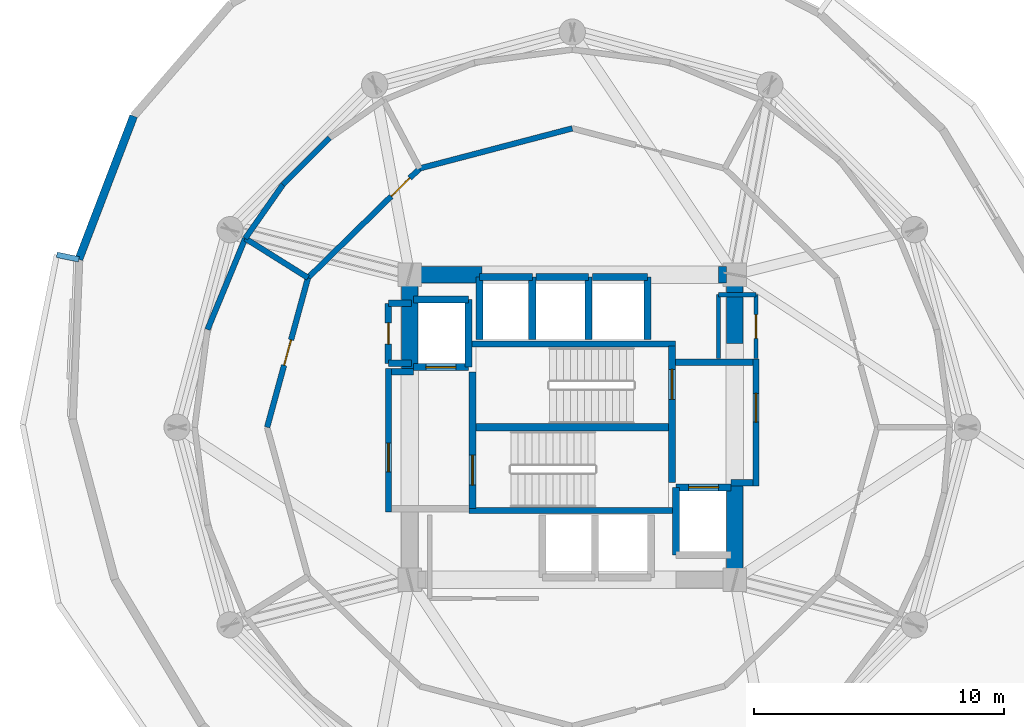
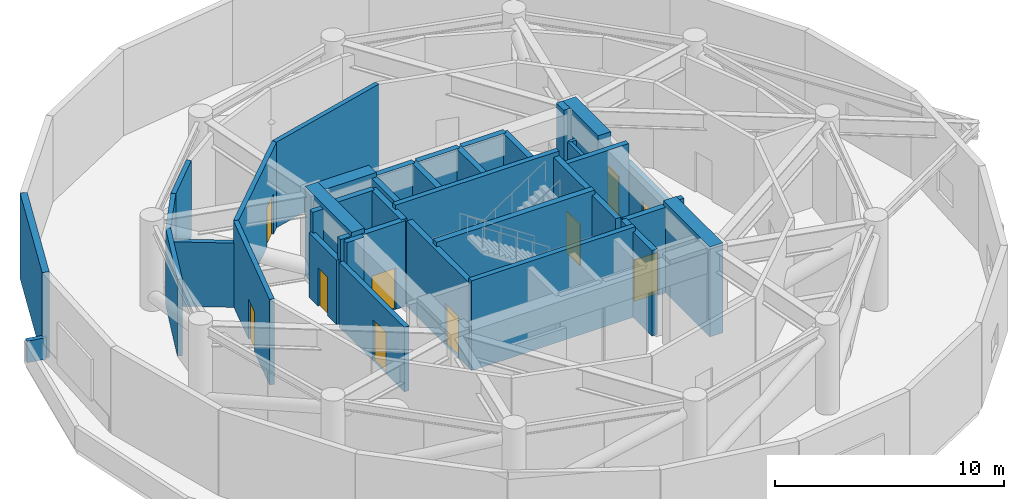
# One storey, part 3 of 7: 42 walls, 10 doors, 10 openings.
"""IFC4 building model written with IfcOpenShell, lengths in metres."""

from ifc_helpers import new_model, si_unit, direction, frame, frame_2d, origin, place, context, subcontext, project, spatial, rectangle, extrude, material, layer, layer_set, type_object, element, fill, save


model = new_model("IFC4")

# Units and contexts
model_context = context("Model", 3, precision=1e-05, world=origin(), true_north=direction((0.0, 1.0)))
body_context = subcontext(model_context, "Body", "Model", "MODEL_VIEW")
ifc_project = project(units=[si_unit("LENGTHUNIT", "METRE"), si_unit("AREAUNIT", "SQUARE_METRE"), si_unit("VOLUMEUNIT", "CUBIC_METRE"), si_unit("PLANEANGLEUNIT", "RADIAN"), si_unit("MASSUNIT", "GRAM", prefix="KILO")], contexts=[model_context])

# Site, building, storey
site_placement = place(None, origin())
site = spatial("IfcSite", under=ifc_project, at=site_placement, CompositionType="ELEMENT")
building_placement = place(site_placement, origin())
building = spatial("IfcBuilding", under=site, at=building_placement, Name="Solvirekh Grand Hotel", CompositionType="ELEMENT")
storey_placement = place(building_placement, frame((0.0, 0.0, 163.800048828125)))
storey = spatial("IfcBuildingStorey", under=building, at=storey_placement, Name="L42", CompositionType="ELEMENT", Elevation=163.800048828125)

# Walls
ifc_material_1 = material(Name="Concrete C50/60", Category="concrete")
ifc_layer_1 = layer(ifc_material_1, 0.35009765625)
ifc_layer_set_1 = layer_set([ifc_layer_1], Name="Concrete C50/60")
wall_type_1 = type_object("IfcWallType", Name="CoreDivWall_RC350", PredefinedType="SOLIDWALL", material=ifc_layer_set_1)
for number, where, z_axis, x_axis, name in (
    (1, (-4.1298828125, -3.324951171875, 0.0), (0.0, 0.0, 1.0), (1.0, 0.0, 0.0), "L42 core stair box wall ST-S"),
    (2, (-4.1298828125, 3.324951171875, 0.0), (0.0, 0.0, 1.0), (1.0, 0.0, 0.0), "L42 core stair box wall ST-N"),
):
    element("IfcWall", number, at=place(storey_placement, frame(where, z_axis=z_axis, x_axis=x_axis)), inside=storey, type_object=wall_type_1, Name=name, PredefinedType="SOLIDWALL", context=body_context, shape_type="SweptSolid", body=[
        extrude(rectangle(XDim=8.259765625, YDim=0.25, at=frame_2d((4.1298828125, 0.0))), origin(), (0.0, 0.0, 1.0), 4.800048828125),
    ])
ifc_material_2 = material(Name="Concrete C40/50", Category="concrete")
ifc_layer_2 = layer(ifc_material_2, 0.280029296875)
ifc_layer_set_2 = layer_set([ifc_layer_2], Name="Concrete C40/50")
wall_type_2 = type_object("IfcWallType", Name="CoreShaftWall_RC280", PredefinedType="SOLIDWALL", material=ifc_layer_set_2)
wall_1_placement = place(storey_placement, frame((-1.60009765625, 6.0, 0.0), z_axis=(0.0, 0.0, 1.0), x_axis=(-1.0, 0.0, 0.0)))
element("IfcWall", 3, at=wall_1_placement, inside=storey, type_object=wall_type_2, Name="L42 HP-1 hoistway N wall", PredefinedType="SOLIDWALL", context=body_context, shape_type="SweptSolid", body=[
    extrude(rectangle(XDim=2.099853515625, YDim=0.280029296875, at=frame_2d((1.0498046875, 0.0))), origin(), (0.0, 0.0, 1.0), 4.56005859375),
])
for number, where, z_axis, x_axis, name in (
    (4, (-3.699951171875, 6.0, 0.0), (0.0, 0.0, 1.0), (0.0, -1.0, 0.0), "L42 HP-1 hoistway W wall"),
    (5, (-1.60009765625, 3.5, 0.0), (0.0, 0.0, 1.0), (0.0, 1.0, 0.0), "L42 HP-1 hoistway E wall"),
):
    element("IfcWall", number, at=place(storey_placement, frame(where, z_axis=z_axis, x_axis=x_axis)), inside=storey, type_object=wall_type_2, Name=name, PredefinedType="SOLIDWALL", context=body_context, shape_type="SweptSolid", body=[
        extrude(rectangle(XDim=2.5, YDim=0.280029296875, at=frame_2d((1.25, 0.0))), origin(), (0.0, 0.0, 1.0), 4.56005859375),
    ])
wall_2_placement = place(storey_placement, frame((0.64990234375, 6.0, 0.0), z_axis=(0.0, 0.0, 1.0), x_axis=(-1.0, 0.0, 0.0)))
element("IfcWall", 6, at=wall_2_placement, inside=storey, type_object=wall_type_2, Name="L42 HP-2 hoistway N wall", PredefinedType="SOLIDWALL", context=body_context, shape_type="SweptSolid", body=[
    extrude(rectangle(XDim=2.099853515625, YDim=0.280029296875, at=frame_2d((1.0498046875, 0.0))), origin(), (0.0, 0.0, 1.0), 4.56005859375),
])
wall_3_placement = place(storey_placement, frame((0.64990234375, 3.5, 0.0), z_axis=(0.0, 0.0, 1.0), x_axis=(0.0, 1.0, 0.0)))
element("IfcWall", 7, at=wall_3_placement, inside=storey, type_object=wall_type_2, Name="L42 HP-2 hoistway E wall", PredefinedType="SOLIDWALL", context=body_context, shape_type="SweptSolid", body=[
    extrude(rectangle(XDim=2.5, YDim=0.280029296875, at=frame_2d((1.25, 0.0))), origin(), (0.0, 0.0, 1.0), 4.56005859375),
])
wall_4_placement = place(storey_placement, frame((3.0, 6.0, 0.0), z_axis=(0.0, 0.0, 1.0), x_axis=(-1.0, 0.0, 0.0)))
element("IfcWall", 8, at=wall_4_placement, inside=storey, type_object=wall_type_2, Name="L42 EX-1 hoistway N wall", PredefinedType="SOLIDWALL", context=body_context, shape_type="SweptSolid", body=[
    extrude(rectangle(XDim=2.199951171875, YDim=0.280029296875, at=frame_2d((1.10009765625, 0.0))), origin(), (0.0, 0.0, 1.0), 4.56005859375),
])
wall_5_placement = place(storey_placement, frame((3.0, 3.5, 0.0), z_axis=(0.0, 0.0, 1.0), x_axis=(0.0, 1.0, 0.0)))
element("IfcWall", 9, at=wall_5_placement, inside=storey, type_object=wall_type_2, Name="L42 EX-1 hoistway E wall", PredefinedType="SOLIDWALL", context=body_context, shape_type="SweptSolid", body=[
    extrude(rectangle(XDim=2.5, YDim=0.280029296875, at=frame_2d((1.25, 0.0))), origin(), (0.0, 0.0, 1.0), 4.56005859375),
])

# Wall, opening, door
wall_6_placement = place(storey_placement, frame((-6.35009765625, 2.39990234375, 0.0), z_axis=(0.0, 0.0, 1.0), x_axis=(1.0, 0.0, 0.0)))
wall_6 = element("IfcWall", 10, at=wall_6_placement, inside=storey, type_object=wall_type_2, Name="L42 FL-1 hoistway S wall", PredefinedType="SOLIDWALL", context=body_context, shape_type="SweptSolid", body=[
    extrude(rectangle(XDim=2.2001953125, YDim=0.280029296875, at=frame_2d((1.10009765625, 0.0))), origin(), (0.0, 0.0, 1.0), 4.56005859375),
])
opening_1_placement = place(wall_6_placement, frame((0.5, 0.0, 0.0)))
opening_1 = element("IfcOpeningElement", 11, at=opening_1_placement, cuts=wall_6, Name="Opening LD02", PredefinedType="OPENING", context=body_context, shape_type="SweptSolid", body=[
    extrude(rectangle(XDim=1.199951171875, YDim=2.199951171875, at=frame_2d((0.60009765625, 1.10009765625))), frame((0.0, 0.14990234375, 0.0), z_axis=(0.0, -1.0, 0.0), x_axis=(1.0, 0.0, 0.0)), (0.0, 0.0, 1.0), 0.300048828125),
])
ifc_material_3 = material(Name="Fire-Rated Steel Door Assembly", Category="steel")
door_type_1 = type_object("IfcDoorType", Name="Door_LiftFF_1200X2200", OperationType="SLIDING_TO_LEFT", PredefinedType="DOOR", material=ifc_material_3)
door_1_placement = place(opening_1_placement, origin())
door_1 = element("IfcDoor", 12, at=door_1_placement, inside=storey, type_object=door_type_1, Name="L42 FL-1 sliding lift landing door", OperationType="SLIDING_TO_LEFT", OverallHeight=2.199951171875, OverallWidth=1.199951171875, PredefinedType="DOOR", context=body_context, shape_type="SweptSolid", body=[
    extrude(rectangle(XDim=1.199951171875, YDim=2.199951171875, at=frame_2d((0.60009765625, 1.10009765625))), frame((0.0, 0.02490234375, 0.0), z_axis=(0.0, -1.0, 0.0), x_axis=(1.0, 0.0, 0.0)), (0.0, 0.0, 1.0), 0.050048828125),
])
fill(opening_1, door_1)

# Walls
wall_7_placement = place(storey_placement, frame((-4.14990234375, 5.10009765625, 0.0), z_axis=(0.0, 0.0, 1.0), x_axis=(-1.0, 0.0, 0.0)))
element("IfcWall", 13, at=wall_7_placement, inside=storey, type_object=wall_type_2, Name="L42 FL-1 hoistway N wall", PredefinedType="SOLIDWALL", context=body_context, shape_type="SweptSolid", body=[
    extrude(rectangle(XDim=2.2001953125, YDim=0.280029296875, at=frame_2d((1.10009765625, 0.0))), origin(), (0.0, 0.0, 1.0), 4.56005859375),
])
wall_8_placement = place(storey_placement, frame((-4.14990234375, 2.39990234375, 0.0), z_axis=(0.0, 0.0, 1.0), x_axis=(0.0, 1.0, 0.0)))
element("IfcWall", 14, at=wall_8_placement, inside=storey, type_object=wall_type_2, Name="L42 FL-1 hoistway E wall", PredefinedType="SOLIDWALL", context=body_context, shape_type="SweptSolid", body=[
    extrude(rectangle(XDim=2.7001953125, YDim=0.280029296875, at=frame_2d((1.35009765625, 0.0))), origin(), (0.0, 0.0, 1.0), 4.56005859375),
])

# Wall, opening, door
wall_9_placement = place(storey_placement, frame((6.35009765625, -2.39990234375, 0.0), z_axis=(0.0, 0.0, 1.0), x_axis=(-1.0, 0.0, 0.0)))
wall_9 = element("IfcWall", 15, at=wall_9_placement, inside=storey, type_object=wall_type_2, Name="L42 FL-2 hoistway N wall", PredefinedType="SOLIDWALL", context=body_context, shape_type="SweptSolid", body=[
    extrude(rectangle(XDim=2.2001953125, YDim=0.280029296875, at=frame_2d((1.10009765625, 0.0))), origin(), (0.0, 0.0, 1.0), 4.56005859375),
])
opening_2_placement = place(wall_9_placement, frame((0.5, 0.0, 0.0)))
opening_2 = element("IfcOpeningElement", 16, at=opening_2_placement, cuts=wall_9, Name="Opening LD02", PredefinedType="OPENING", context=body_context, shape_type="SweptSolid", body=[
    extrude(rectangle(XDim=1.199951171875, YDim=2.199951171875, at=frame_2d((0.60009765625, 1.10009765625))), frame((0.0, 0.14990234375, 0.0), z_axis=(0.0, -1.0, 0.0), x_axis=(1.0, 0.0, 0.0)), (0.0, 0.0, 1.0), 0.300048828125),
])
door_2_placement = place(opening_2_placement, origin())
door_2 = element("IfcDoor", 17, at=door_2_placement, inside=storey, type_object=door_type_1, Name="L42 FL-2 sliding lift landing door", OperationType="SLIDING_TO_LEFT", OverallHeight=2.199951171875, OverallWidth=1.199951171875, PredefinedType="DOOR", context=body_context, shape_type="SweptSolid", body=[
    extrude(rectangle(XDim=1.199951171875, YDim=2.199951171875, at=frame_2d((0.60009765625, 1.10009765625))), frame((0.0, 0.02490234375, 0.0), z_axis=(0.0, -1.0, 0.0), x_axis=(1.0, 0.0, 0.0)), (0.0, 0.0, 1.0), 0.050048828125),
])
fill(opening_2, door_2)

# Wall
wall_10_placement = place(storey_placement, frame((4.14990234375, -2.39990234375, 0.0), z_axis=(0.0, 0.0, 1.0), x_axis=(0.0, -1.0, 0.0)))
element("IfcWall", 18, at=wall_10_placement, inside=storey, type_object=wall_type_2, Name="L42 FL-2 hoistway W wall", PredefinedType="SOLIDWALL", context=body_context, shape_type="SweptSolid", body=[
    extrude(rectangle(XDim=2.7001953125, YDim=0.280029296875, at=frame_2d((1.35009765625, 0.0))), origin(), (0.0, 0.0, 1.0), 4.56005859375),
])

# Wall, opening, door
wall_11_placement = place(storey_placement, frame((-3.989990234375, -3.25, 0.0), z_axis=(0.0, 0.0, 1.0), x_axis=(0.0, 1.0, 0.0)))
wall_11 = element("IfcWall", 19, at=wall_11_placement, inside=storey, type_object=wall_type_2, Name="L42 west stair landing enclosure wall", PredefinedType="SOLIDWALL", context=body_context, shape_type="SweptSolid", body=[
    extrude(rectangle(XDim=5.4599609375, YDim=0.280029296875, at=frame_2d((2.72998046875, 0.0))), origin(), (0.0, 0.0, 1.0), 4.56005859375),
])
opening_3_placement = place(wall_11_placement, frame((0.93701171875, 0.0, 0.0)))
opening_3 = element("IfcOpeningElement", 20, at=opening_3_placement, cuts=wall_11, Name="Opening D05", PredefinedType="OPENING", context=body_context, shape_type="SweptSolid", body=[
    extrude(rectangle(XDim=1.199951171875, YDim=2.199951171875, at=frame_2d((0.60009765625, 1.10009765625))), frame((0.0, 0.14990234375, 0.0), z_axis=(0.0, -1.0, 0.0), x_axis=(1.0, 0.0, 0.0)), (0.0, 0.0, 1.0), 0.300048828125),
])
door_type_2 = type_object("IfcDoorType", Name="Door_StairCore_1200X2200", OperationType="NOTDEFINED", PredefinedType="DOOR", material=ifc_material_3)
door_3_placement = place(opening_3_placement, origin())
door_3 = element("IfcDoor", 21, at=door_3_placement, inside=storey, type_object=door_type_2, Name="L42 exit stair ST-1 fire door", OperationType="SINGLE_SWING_RIGHT", OverallHeight=2.199951171875, OverallWidth=1.199951171875, PredefinedType="DOOR", context=body_context, shape_type="SweptSolid", body=[
    extrude(rectangle(XDim=1.199951171875, YDim=2.199951171875, at=frame_2d((0.60009765625, 1.10009765625))), frame((0.0, 0.02490234375, 0.0), z_axis=(0.0, -1.0, 0.0), x_axis=(1.0, 0.0, 0.0)), (0.0, 0.0, 1.0), 0.050048828125),
])
fill(opening_3, door_3)

wall_12_placement = place(storey_placement, frame((3.989990234375, -2.2099609375, 0.0), z_axis=(0.0, 0.0, 1.0), x_axis=(0.0, 1.0, 0.0)))
wall_12 = element("IfcWall", 22, at=wall_12_placement, inside=storey, type_object=wall_type_2, Name="L42 east stair landing enclosure wall", PredefinedType="SOLIDWALL", context=body_context, shape_type="SweptSolid", body=[
    extrude(rectangle(XDim=5.4599609375, YDim=0.280029296875, at=frame_2d((2.72998046875, 0.0))), origin(), (0.0, 0.0, 1.0), 4.56005859375),
])
opening_4_placement = place(wall_12_placement, frame((3.322998046875, 0.0, 0.0)))
opening_4 = element("IfcOpeningElement", 23, at=opening_4_placement, cuts=wall_12, Name="Opening D05", PredefinedType="OPENING", context=body_context, shape_type="SweptSolid", body=[
    extrude(rectangle(XDim=1.199951171875, YDim=2.199951171875, at=frame_2d((0.60009765625, 1.10009765625))), frame((0.0, 0.14990234375, 0.0), z_axis=(0.0, -1.0, 0.0), x_axis=(1.0, 0.0, 0.0)), (0.0, 0.0, 1.0), 0.300048828125),
])
door_4_placement = place(opening_4_placement, origin())
door_4 = element("IfcDoor", 24, at=door_4_placement, inside=storey, type_object=door_type_2, Name="L42 exit stair ST-2 fire door", OperationType="SINGLE_SWING_LEFT", OverallHeight=2.199951171875, OverallWidth=1.199951171875, PredefinedType="DOOR", context=body_context, shape_type="SweptSolid", body=[
    extrude(rectangle(XDim=1.199951171875, YDim=2.199951171875, at=frame_2d((0.60009765625, 1.10009765625))), frame((0.0, 0.02490234375, 0.0), z_axis=(0.0, -1.0, 0.0), x_axis=(1.0, 0.0, 0.0)), (0.0, 0.0, 1.0), 0.050048828125),
])
fill(opening_4, door_4)

# Walls
ifc_layer_3 = layer(ifc_material_1, 0.64990234375)
ifc_layer_set_3 = layer_set([ifc_layer_3], Name="Concrete C50/60")
wall_type_3 = type_object("IfcWallType", Name="CoreWall_RC650", PredefinedType="SHEAR", material=ifc_layer_set_3)
wall_13_placement = place(storey_placement, frame((-3.989990234375, 0.0, 0.0), z_axis=(0.0, 0.0, 1.0), x_axis=(1.0, 0.0, 0.0)))
element("IfcWall", 25, at=wall_13_placement, inside=storey, type_object=wall_type_3, Name="L42 central stair-spine shear wall", PredefinedType="SHEAR", context=body_context, shape_type="SweptSolid", body=[
    extrude(rectangle(XDim=7.97998046875, YDim=0.300048828125, at=frame_2d((3.989990234375, 0.0))), origin(), (0.0, 0.0, 1.0), 4.800048828125),
])
wall_14_placement = place(storey_placement, frame((-6.175048828125, 6.10009765625, 0.0), z_axis=(0.0, 0.0, 1.0), x_axis=(1.0, 0.0, 0.0)))
element("IfcWall", 26, at=wall_14_placement, inside=storey, type_object=wall_type_3, Name="L42 core corner shear wall NW-N", PredefinedType="SHEAR", context=body_context, shape_type="SweptSolid", body=[
    extrude(rectangle(XDim=2.574951171875, YDim=0.64990234375, at=frame_2d((1.28759765625, 0.0))), origin(), (0.0, 0.0, 1.0), 4.800048828125),
])
wall_15_placement = place(storey_placement, frame((5.85009765625, 6.10009765625, 0.0), z_axis=(0.0, 0.0, 1.0), x_axis=(1.0, 0.0, 0.0)))
element("IfcWall", 27, at=wall_15_placement, inside=storey, type_object=wall_type_3, Name="L42 core corner shear wall NE-N", PredefinedType="SHEAR", context=body_context, shape_type="SweptSolid", body=[
    extrude(rectangle(XDim=0.324951171875, YDim=0.64990234375, at=frame_2d((0.16259765625, 0.0))), origin(), (0.0, 0.0, 1.0), 4.800048828125),
])
for number, where, z_axis, x_axis, name in (
    (28, (-6.5, 2.35009765625, 0.0), (0.0, 0.0, 1.0), (0.0, 1.0, 0.0), "L42 core corner shear wall WN-W"),
    (29, (6.5, -6.425048828125, 0.0), (0.0, 0.0, 1.0), (0.0, 1.0, 0.0), "L42 core corner shear wall ES-E"),
):
    element("IfcWall", number, at=place(storey_placement, frame(where, z_axis=z_axis, x_axis=x_axis)), inside=storey, type_object=wall_type_3, Name=name, PredefinedType="SHEAR", context=body_context, shape_type="SweptSolid", body=[
        extrude(rectangle(XDim=4.074951171875, YDim=0.64990234375, at=frame_2d((2.03759765625, 0.0))), origin(), (0.0, 0.0, 1.0), 4.800048828125),
    ])
wall_16_placement = place(storey_placement, frame((6.5, 3.35009765625, 0.0), z_axis=(0.0, 0.0, 1.0), x_axis=(0.0, 1.0, 0.0)))
element("IfcWall", 30, at=wall_16_placement, inside=storey, type_object=wall_type_3, Name="L42 core corner shear wall EN-E", PredefinedType="SHEAR", context=body_context, shape_type="SweptSolid", body=[
    extrude(rectangle(XDim=3.074951171875, YDim=0.64990234375, at=frame_2d((1.53759765625, 0.0))), origin(), (0.0, 0.0, 1.0), 4.800048828125),
])
ifc_material_4 = material(Name="Precast concrete C45/55", Category="concrete")
ifc_layer_4 = layer(ifc_material_4, 0.320068359375)
ifc_layer_set_4 = layer_set([ifc_layer_4], Name="Precast concrete C45/55")
wall_type_4 = type_object("IfcWallType", Name="ExtLobbyWall_RC320", PredefinedType="SOLIDWALL", material=ifc_layer_set_4)
wall_17_placement = place(storey_placement, frame((-19.72900390625, 6.715087890625, 0.0), z_axis=(0.0, 0.0, 1.0), x_axis=(0.357455180871, 0.933930293795, 0.0)))
element("IfcWall", 31, at=wall_17_placement, inside=storey, type_object=wall_type_4, Name="L42 exterior structural wall chord 12", PredefinedType="SOLIDWALL", context=body_context, shape_type="SweptSolid", body=[
    extrude(rectangle(XDim=6.1318359375, YDim=0.320068359375, at=frame_2d((3.06591796875, 0.0))), origin(), (0.0, 0.0, 1.0), 4.56005859375),
])
ifc_layer_5 = layer(ifc_material_4, 0.219970703125)
ifc_layer_set_5 = layer_set([ifc_layer_5], Name="Precast concrete C45/55")
wall_type_5 = type_object("IfcWallType", Name="ExtParapet_RC220", PredefinedType="PARAPET", material=ifc_layer_set_5)
wall_18_placement = place(storey_placement, frame((-19.72900390625, 6.715087890625, 0.0), z_axis=(0.0, 0.0, 1.0), x_axis=(-0.980034419416, 0.198827907399, 0.0)))
element("IfcWall", 32, at=wall_18_placement, inside=storey, type_object=wall_type_5, Name="L42 mechanical setback parapet terr 1", PredefinedType="PARAPET", context=body_context, shape_type="SweptSolid", body=[
    extrude(rectangle(XDim=0.900146484375, YDim=0.219970703125, at=frame_2d((0.4501953125, 0.0))), origin(), (0.0, 0.0, 1.0), 1.14990234375),
])

# Wall, opening, door
ifc_material_5 = material(Name="Acoustic Gypsum Partition Assembly")
ifc_layer_6 = layer(ifc_material_5, 0.1650390625)
ifc_layer_set_6 = layer_set([ifc_layer_6], Name="Acoustic Gypsum Partition Assembly")
wall_type_6 = type_object("IfcWallType", Name="Part_BOH_165", PredefinedType="PARTITIONING", material=ifc_layer_set_6)
wall_19_placement = place(storey_placement, frame((7.35009765625, 2.75, 0.0), z_axis=(0.0, 0.0, 1.0), x_axis=(0.0, 1.0, 0.0)))
wall_19 = element("IfcWall", 33, at=wall_19_placement, inside=storey, type_object=wall_type_6, Name="L42 L42 Core Housekeeping & Linen Room wall 2", PredefinedType="PARTITIONING", context=body_context, shape_type="SweptSolid", body=[
    extrude(rectangle(XDim=2.550048828125, YDim=0.1650390625, at=frame_2d((1.27490234375, 0.0))), origin(), (0.0, 0.0, 1.0), 3.445068359375),
])
opening_5_placement = place(wall_19_placement, frame((0.800048828125, 0.0, 0.0)))
opening_5 = element("IfcOpeningElement", 34, at=opening_5_placement, cuts=wall_19, Name="Opening D10", PredefinedType="OPENING", context=body_context, shape_type="SweptSolid", body=[
    extrude(rectangle(XDim=0.949951171875, YDim=2.10009765625, at=frame_2d((0.47509765625, 1.050048828125))), frame((0.0, 0.092529296875, 0.0), z_axis=(0.0, -1.0, 0.0), x_axis=(1.0, 0.0, 0.0)), (0.0, 0.0, 1.0), 0.18505859375),
])
ifc_material_6 = material(Name="Anodized Bronze Aluminium 6063-T6", Category="aluminium")
door_type_3 = type_object("IfcDoorType", Name="Door_RoomInt_950X2100", OperationType="NOTDEFINED", PredefinedType="DOOR", material=ifc_material_6)
door_5_placement = place(opening_5_placement, origin())
door_5 = element("IfcDoor", 35, at=door_5_placement, inside=storey, type_object=door_type_3, Name="L42 L42 Core Housekeeping & Linen Room door", OperationType="SINGLE_SWING_LEFT", OverallHeight=2.10009765625, OverallWidth=0.949951171875, PredefinedType="DOOR", context=body_context, shape_type="SweptSolid", body=[
    extrude(rectangle(XDim=0.949951171875, YDim=2.10009765625, at=frame_2d((0.47509765625, 1.050048828125))), frame((0.0, 0.02490234375, 0.0), z_axis=(0.0, -1.0, 0.0), x_axis=(1.0, 0.0, 0.0)), (0.0, 0.0, 1.0), 0.050048828125),
])
fill(opening_5, door_5)

# Walls
wall_20_placement = place(storey_placement, frame((7.35009765625, 5.300048828125, 0.0), z_axis=(0.0, 0.0, 1.0), x_axis=(-1.0, 0.0, 0.0)))
element("IfcWall", 36, at=wall_20_placement, inside=storey, type_object=wall_type_6, Name="L42 L42 Core Housekeeping & Linen Room wall 3", PredefinedType="PARTITIONING", context=body_context, shape_type="SweptSolid", body=[
    extrude(rectangle(XDim=1.5, YDim=0.1650390625, at=frame_2d((0.75, 0.0))), origin(), (0.0, 0.0, 1.0), 3.445068359375),
])
wall_21_placement = place(storey_placement, frame((5.85009765625, 5.300048828125, 0.0), z_axis=(0.0, 0.0, 1.0), x_axis=(0.0, -1.0, 0.0)))
element("IfcWall", 37, at=wall_21_placement, inside=storey, type_object=wall_type_6, Name="L42 L42 Core Housekeeping & Linen Room wall 4", PredefinedType="PARTITIONING", context=body_context, shape_type="SweptSolid", body=[
    extrude(rectangle(XDim=2.550048828125, YDim=0.1650390625, at=frame_2d((1.27490234375, 0.0))), origin(), (0.0, 0.0, 1.0), 3.445068359375),
])

# Wall, opening, door
ifc_layer_7 = layer(ifc_material_5, 0.239990234375)
ifc_layer_set_7 = layer_set([ifc_layer_7], Name="Acoustic Gypsum Partition Assembly")
wall_type_7 = type_object("IfcWallType", Name="Part_Corridor_240", PredefinedType="PARTITIONING", material=ifc_layer_set_7)
wall_22_placement = place(storey_placement, frame((-7.35009765625, -3.3798828125, 0.0), z_axis=(0.0, 0.0, 1.0), x_axis=(0.0, 1.0, 0.0)))
wall_22 = element("IfcWall", 38, at=wall_22_placement, inside=storey, type_object=wall_type_7, Name="L42 west firefighting lobby smoke screen wall", PredefinedType="PARTITIONING", context=body_context, shape_type="SweptSolid", body=[
    extrude(rectangle(XDim=5.719970703125, YDim=0.239990234375, at=frame_2d((2.85986328125, 0.0))), origin(), (0.0, 0.0, 1.0), 3.445068359375),
])
opening_6_placement = place(wall_22_placement, frame((1.59912109375, 0.0, 0.0)))
opening_6 = element("IfcOpeningElement", 39, at=opening_6_placement, cuts=wall_22, Name="Opening D06", PredefinedType="OPENING", context=body_context, shape_type="SweptSolid", body=[
    extrude(rectangle(XDim=1.14990234375, YDim=2.199951171875, at=frame_2d((0.574951171875, 1.10009765625))), frame((0.0, 0.1298828125, 0.0), z_axis=(0.0, -1.0, 0.0), x_axis=(1.0, 0.0, 0.0)), (0.0, 0.0, 1.0), 0.260009765625),
])
door_type_4 = type_object("IfcDoorType", Name="Door_FFLobby_1150X2200", OperationType="NOTDEFINED", PredefinedType="DOOR", material=ifc_material_3)
door_6_placement = place(opening_6_placement, origin())
door_6 = element("IfcDoor", 40, at=door_6_placement, inside=storey, type_object=door_type_4, Name="L42 west firefighting lobby smoke door", OperationType="SINGLE_SWING_RIGHT", OverallHeight=2.199951171875, OverallWidth=1.14990234375, PredefinedType="DOOR", context=body_context, shape_type="SweptSolid", body=[
    extrude(rectangle(XDim=1.14990234375, YDim=2.199951171875, at=frame_2d((0.574951171875, 1.10009765625))), frame((0.0, 0.02490234375, 0.0), z_axis=(0.0, -1.0, 0.0), x_axis=(1.0, 0.0, 0.0)), (0.0, 0.0, 1.0), 0.050048828125),
])
fill(opening_6, door_6)

wall_23_placement = place(storey_placement, frame((7.35009765625, -2.340087890625, 0.0), z_axis=(0.0, 0.0, 1.0), x_axis=(0.0, 1.0, 0.0)))
wall_23 = element("IfcWall", 41, at=wall_23_placement, inside=storey, type_object=wall_type_7, Name="L42 east firefighting lobby smoke screen wall", PredefinedType="PARTITIONING", context=body_context, shape_type="SweptSolid", body=[
    extrude(rectangle(XDim=5.070068359375, YDim=0.239990234375, at=frame_2d((2.53515625, 0.0))), origin(), (0.0, 0.0, 1.0), 3.445068359375),
])
opening_7_placement = place(wall_23_placement, frame((2.548095703125, 0.0, 0.0)))
opening_7 = element("IfcOpeningElement", 42, at=opening_7_placement, cuts=wall_23, Name="Opening D06", PredefinedType="OPENING", context=body_context, shape_type="SweptSolid", body=[
    extrude(rectangle(XDim=1.14990234375, YDim=2.199951171875, at=frame_2d((0.574951171875, 1.10009765625))), frame((0.0, 0.1298828125, 0.0), z_axis=(0.0, -1.0, 0.0), x_axis=(1.0, 0.0, 0.0)), (0.0, 0.0, 1.0), 0.260009765625),
])
door_7_placement = place(opening_7_placement, origin())
door_7 = element("IfcDoor", 43, at=door_7_placement, inside=storey, type_object=door_type_4, Name="L42 east firefighting lobby smoke door", OperationType="SINGLE_SWING_LEFT", OverallHeight=2.199951171875, OverallWidth=1.14990234375, PredefinedType="DOOR", context=body_context, shape_type="SweptSolid", body=[
    extrude(rectangle(XDim=1.14990234375, YDim=2.199951171875, at=frame_2d((0.574951171875, 1.10009765625))), frame((0.0, 0.02490234375, 0.0), z_axis=(0.0, -1.0, 0.0), x_axis=(1.0, 0.0, 0.0)), (0.0, 0.0, 1.0), 0.050048828125),
])
fill(opening_7, door_7)

# Walls
ifc_layer_8 = layer(ifc_material_5, 0.260009765625)
ifc_layer_set_8 = layer_set([ifc_layer_8], Name="Acoustic Gypsum Partition Assembly")
wall_type_8 = type_object("IfcWallType", Name="Part_LobbyFF_260", PredefinedType="PARTITIONING", material=ifc_layer_set_8)
for number, where, z_axis, x_axis, name in (
    (44, (-7.22509765625, 2.2099609375, 0.0), (0.0, 0.0, 1.0), (1.0, 0.0, 0.0), "L42 west firefighting lobby NW cheek"),
    (45, (6.35009765625, -2.2099609375, 0.0), (0.0, 0.0, 1.0), (1.0, 0.0, 0.0), "L42 east firefighting lobby SE cheek"),
):
    element("IfcWall", number, at=place(storey_placement, frame(where, z_axis=z_axis, x_axis=x_axis)), inside=storey, type_object=wall_type_8, Name=name, PredefinedType="PARTITIONING", context=body_context, shape_type="SweptSolid", body=[
        extrude(rectangle(XDim=0.875, YDim=0.260009765625, at=frame_2d((0.4375, 0.0))), origin(), (0.0, 0.0, 1.0), 4.56005859375),
    ])
wall_24_placement = place(storey_placement, frame((4.1298828125, 2.60009765625, 0.0), z_axis=(0.0, 0.0, 1.0), x_axis=(1.0, 0.0, 0.0)))
element("IfcWall", 46, at=wall_24_placement, inside=storey, type_object=wall_type_8, Name="L42 east firefighting lobby north partition", PredefinedType="PARTITIONING", context=body_context, shape_type="SweptSolid", body=[
    extrude(rectangle(XDim=3.09521484375, YDim=0.260009765625, at=frame_2d((1.547607421875, 0.0))), origin(), (0.0, 0.0, 1.0), 4.56005859375),
])
for number, where, z_axis, x_axis, name in (
    (47, (-7.35009765625, 4.949951171875, 0.0), (0.0, 0.0, 1.0), (1.0, 0.0, 0.0), "L42 NW telecom metering cupboard north wall"),
    (48, (-7.35009765625, 2.550048828125, 0.0), (0.0, 0.0, 1.0), (1.0, 0.0, 0.0), "L42 NW telecom metering cupboard south wall"),
):
    element("IfcWall", number, at=place(storey_placement, frame(where, z_axis=z_axis, x_axis=x_axis)), inside=storey, type_object=wall_type_8, Name=name, PredefinedType="PARTITIONING", context=body_context, shape_type="SweptSolid", body=[
        extrude(rectangle(XDim=0.93017578125, YDim=0.260009765625, at=frame_2d((0.465087890625, 0.0))), origin(), (0.0, 0.0, 1.0), 4.56005859375),
    ])

# Wall, opening, door
wall_25_placement = place(storey_placement, frame((-7.35009765625, 2.550048828125, 0.0), z_axis=(0.0, 0.0, 1.0), x_axis=(0.0, 1.0, 0.0)))
wall_25 = element("IfcWall", 49, at=wall_25_placement, inside=storey, type_object=wall_type_8, Name="L42 NW telecom metering cupboard access wall", PredefinedType="PARTITIONING", context=body_context, shape_type="SweptSolid", body=[
    extrude(rectangle(XDim=2.39990234375, YDim=0.260009765625, at=frame_2d((1.199951171875, 0.0))), origin(), (0.0, 0.0, 1.0), 3.445068359375),
])
opening_8_placement = place(wall_25_placement, frame((0.77490234375, 0.0, 0.0)))
opening_8 = element("IfcOpeningElement", 50, at=opening_8_placement, cuts=wall_25, Name="Opening D13", PredefinedType="OPENING", context=body_context, shape_type="SweptSolid", body=[
    extrude(rectangle(XDim=0.85009765625, YDim=2.050048828125, at=frame_2d((0.425048828125, 1.02490234375))), frame((0.0, 0.14013671875, 0.0), z_axis=(0.0, -1.0, 0.0), x_axis=(1.0, 0.0, 0.0)), (0.0, 0.0, 1.0), 0.280029296875),
])
door_type_5 = type_object("IfcDoorType", Name="Door_RiserShaft_850X2050", OperationType="NOTDEFINED", PredefinedType="DOOR", material=ifc_material_3)
door_8_placement = place(opening_8_placement, origin())
door_8 = element("IfcDoor", 51, at=door_8_placement, inside=storey, type_object=door_type_5, Name="L42 telecom metering cupboard access door", OperationType="SINGLE_SWING_RIGHT", OverallHeight=2.050048828125, OverallWidth=0.85009765625, PredefinedType="DOOR", context=body_context, shape_type="SweptSolid", body=[
    extrude(rectangle(XDim=0.85009765625, YDim=2.050048828125, at=frame_2d((0.425048828125, 1.02490234375))), frame((0.0, 0.02490234375, 0.0), z_axis=(0.0, -1.0, 0.0), x_axis=(1.0, 0.0, 0.0)), (0.0, 0.0, 1.0), 0.050048828125),
])
fill(opening_8, door_8)

# Walls
ifc_layer_9 = layer(ifc_material_4, 0.22509765625)
ifc_layer_set_9 = layer_set([ifc_layer_9], Name="Precast concrete C45/55")
wall_type_9 = type_object("IfcWallType", Name="Part_Plant_225", PredefinedType="PARTITIONING", material=ifc_layer_set_9)
wall_26_placement = place(storey_placement, frame((-10.56591796875, 5.97509765625, 0.0), z_axis=(0.0, 0.0, 1.0), x_axis=(-0.84715040899, 0.531353163675, 0.0)))
element("IfcWall", 52, at=wall_26_placement, inside=storey, type_object=wall_type_9, Name="L42 radial demising wall 6", PredefinedType="PARTITIONING", context=body_context, shape_type="SweptSolid", body=[
    extrude(rectangle(XDim=2.964111328125, YDim=0.22509765625, at=frame_2d((1.48193359375, 0.0))), origin(), (0.0, 0.0, 1.0), 3.427001953125),
])
wall_27_placement = place(storey_placement, frame((0.0, 11.949951171875, 0.0), z_axis=(0.0, 0.0, 1.0), x_axis=(-0.967248312895, -0.253832033445, 0.0)))
element("IfcWall", 53, at=wall_27_placement, inside=storey, type_object=wall_type_9, Name="L42 North Heat-Recovery Plant Room corridor wall 2", PredefinedType="PARTITIONING", context=body_context, shape_type="SweptSolid", body=[
    extrude(rectangle(XDim=6.306640625, YDim=0.22509765625, at=frame_2d((3.1533203125, 0.0))), origin(), (0.0, 0.0, 1.0), 4.56005859375),
])

# Wall, opening, door
wall_28_placement = place(storey_placement, frame((-6.10009765625, 10.34912109375, 0.0), z_axis=(0.0, 0.0, 1.0), x_axis=(-0.714411174131, -0.699726142342, 0.0)))
wall_28 = element("IfcWall", 54, at=wall_28_placement, inside=storey, type_object=wall_type_9, Name="L42 Booster Pump & Smoke-Extract Plant Room corridor wall", PredefinedType="PARTITIONING", context=body_context, shape_type="SweptSolid", body=[
    extrude(rectangle(XDim=6.2509765625, YDim=0.22509765625, at=frame_2d((3.12548828125, 0.0))), origin(), (0.0, 0.0, 1.0), 4.56005859375),
])
opening_9_placement = place(wall_28_placement, frame((0.550048828125, 0.0, 0.0)))
opening_9 = element("IfcOpeningElement", 55, at=opening_9_placement, cuts=wall_28, Name="Opening D12", PredefinedType="OPENING", context=body_context, shape_type="SweptSolid", body=[
    extrude(rectangle(XDim=1.050048828125, YDim=2.14990234375, at=frame_2d((0.52490234375, 1.074951171875))), frame((0.0, 0.12255859375, 0.0), z_axis=(0.0, -1.0, 0.0), x_axis=(1.0, 0.0, 0.0)), (0.0, 0.0, 1.0), 0.2451171875),
])
door_type_6 = type_object("IfcDoorType", Name="Door_PlantBOH_1050X2150", OperationType="NOTDEFINED", PredefinedType="DOOR", material=ifc_material_3)
door_9_placement = place(opening_9_placement, origin())
door_9 = element("IfcDoor", 56, at=door_9_placement, inside=storey, type_object=door_type_6, Name="L42 Booster Pump & Smoke-Extract Plant Room entrance door", OperationType="SINGLE_SWING_LEFT", OverallHeight=2.14990234375, OverallWidth=1.050048828125, PredefinedType="DOOR", context=body_context, shape_type="SweptSolid", body=[
    extrude(rectangle(XDim=1.050048828125, YDim=2.14990234375, at=frame_2d((0.52490234375, 1.074951171875))), frame((0.0, 0.02490234375, 0.0), z_axis=(0.0, -1.0, 0.0), x_axis=(1.0, 0.0, 0.0)), (0.0, 0.0, 1.0), 0.050048828125),
])
fill(opening_9, door_9)

# Walls
wall_29_placement = place(storey_placement, frame((-9.7060546875, 11.56689453125, 0.0), z_axis=(0.0, 0.0, 1.0), x_axis=(-0.707106781187, -0.707106781187, 0.0)))
element("IfcWall", 57, at=wall_29_placement, inside=storey, type_object=wall_type_9, Name="L42 Booster Pump & Smoke-Extract Plant Room perimeter acoustic baffle wall 2", PredefinedType="PARTITIONING", context=body_context, shape_type="SweptSolid", body=[
    extrude(rectangle(XDim=2.631591796875, YDim=0.22509765625, at=frame_2d((1.31591796875, 0.0))), origin(), (0.0, 0.0, 1.0), 4.0888671875),
])
wall_30_placement = place(storey_placement, frame((-11.56689453125, 9.7060546875, 0.0), z_axis=(0.0, 0.0, 1.0), x_axis=(-0.57366774902, -0.819088098884, 0.0)))
element("IfcWall", 58, at=wall_30_placement, inside=storey, type_object=wall_type_9, Name="L42 Booster Pump & Smoke-Extract Plant Room perimeter acoustic baffle wall 3", PredefinedType="PARTITIONING", context=body_context, shape_type="SweptSolid", body=[
    extrude(rectangle(XDim=2.63232421875, YDim=0.22509765625, at=frame_2d((1.316162109375, 0.0))), origin(), (0.0, 0.0, 1.0), 4.0888671875),
])

# Wall, opening, door
wall_31_placement = place(storey_placement, frame((-10.56591796875, 5.97509765625, 0.0), z_axis=(0.0, 0.0, 1.0), x_axis=(-0.263787657435, -0.964580775148, 0.0)))
wall_31 = element("IfcWall", 59, at=wall_31_placement, inside=storey, type_object=wall_type_9, Name="L42 West Chilled-Water Plant Room corridor wall", PredefinedType="PARTITIONING", context=body_context, shape_type="SweptSolid", body=[
    extrude(rectangle(XDim=6.194580078125, YDim=0.22509765625, at=frame_2d((3.09716796875, 0.0))), origin(), (0.0, 0.0, 1.0), 4.56005859375),
])
opening_10_placement = place(wall_31_placement, frame((2.572021484375, 0.0, 0.0)))
opening_10 = element("IfcOpeningElement", 60, at=opening_10_placement, cuts=wall_31, Name="Opening D12", PredefinedType="OPENING", context=body_context, shape_type="SweptSolid", body=[
    extrude(rectangle(XDim=1.050048828125, YDim=2.14990234375, at=frame_2d((0.52490234375, 1.074951171875))), frame((0.0, 0.12255859375, 0.0), z_axis=(0.0, -1.0, 0.0), x_axis=(1.0, 0.0, 0.0)), (0.0, 0.0, 1.0), 0.2451171875),
])
door_10_placement = place(opening_10_placement, origin())
door_10 = element("IfcDoor", 61, at=door_10_placement, inside=storey, type_object=door_type_6, Name="L42 West Chilled-Water Plant Room entrance door", OperationType="SINGLE_SWING_RIGHT", OverallHeight=2.14990234375, OverallWidth=1.050048828125, PredefinedType="DOOR", context=body_context, shape_type="SweptSolid", body=[
    extrude(rectangle(XDim=1.050048828125, YDim=2.14990234375, at=frame_2d((0.52490234375, 1.074951171875))), frame((0.0, 0.02490234375, 0.0), z_axis=(0.0, -1.0, 0.0), x_axis=(1.0, 0.0, 0.0)), (0.0, 0.0, 1.0), 0.050048828125),
])
fill(opening_10, door_10)

# Wall
wall_32_placement = place(storey_placement, frame((-13.076904296875, 7.550048828125, 0.0), z_axis=(0.0, 0.0, 1.0), x_axis=(-0.382565124064, -0.92392852854, 0.0)))
element("IfcWall", 62, at=wall_32_placement, inside=storey, type_object=wall_type_9, Name="L42 West Chilled-Water Plant Room perimeter acoustic baffle wall 1", PredefinedType="PARTITIONING", context=body_context, shape_type="SweptSolid", body=[
    extrude(rectangle(XDim=3.94189453125, YDim=0.22509765625, at=frame_2d((1.970947265625, 0.0))), origin(), (0.0, 0.0, 1.0), 4.0888671875),
])

save(model, "model.ifc")
